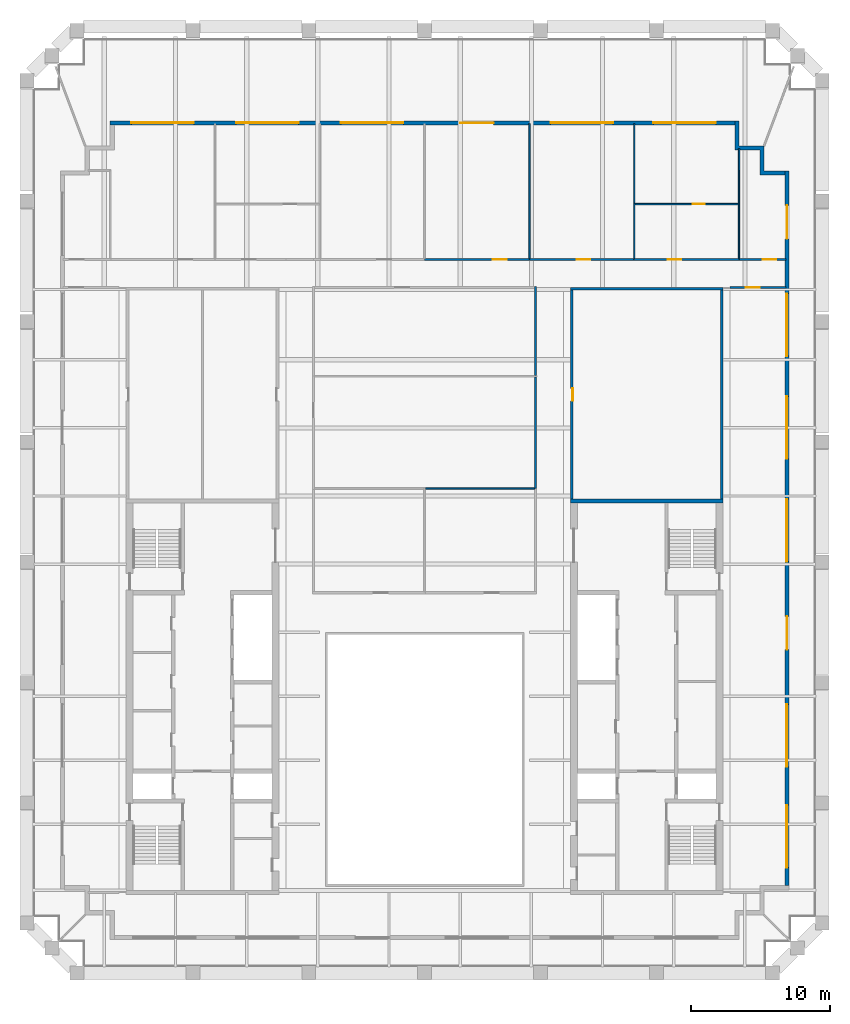
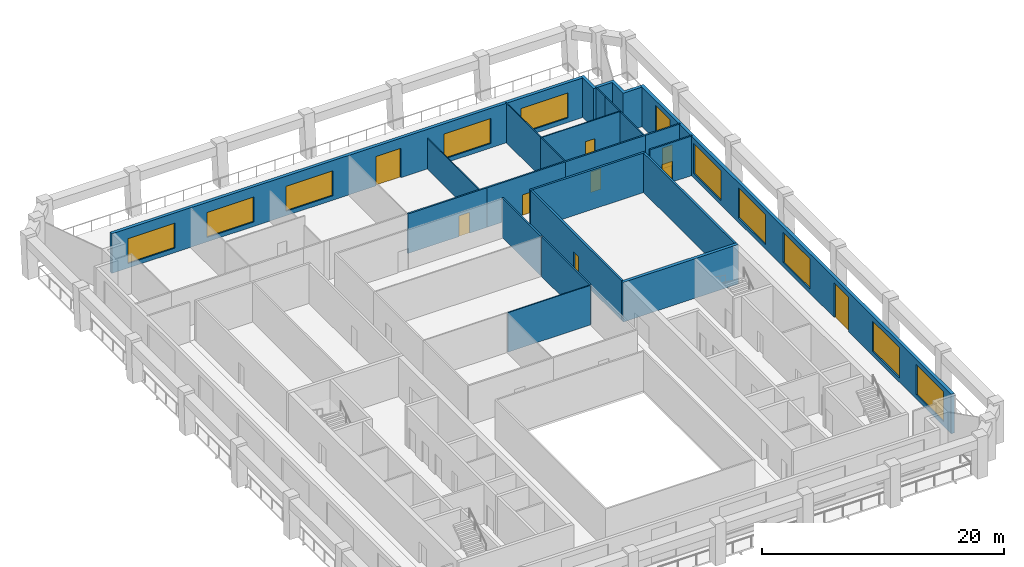
# One storey, part 6 of 9: 22 walls, 10 doors, 10 windows, 20 openings.
"""IFC4 building model written with IfcOpenShell, lengths in metres."""

from ifc_helpers import new_model, si_unit, direction, frame, frame_2d, origin, place, context, subcontext, project, spatial, polyline, rectangle, outline, extrude, material, layer, layer_set, type_object, element, fill, save


model = new_model("IFC4")

# Units and contexts
model_context = context("Model", 3, precision=1e-05, world=origin(), true_north=direction((0.0, 1.0)))
body_context = subcontext(model_context, "Body", "Model", "MODEL_VIEW")
ifc_project = project(units=[si_unit("LENGTHUNIT", "METRE"), si_unit("AREAUNIT", "SQUARE_METRE"), si_unit("VOLUMEUNIT", "CUBIC_METRE"), si_unit("PLANEANGLEUNIT", "RADIAN"), si_unit("MASSUNIT", "GRAM", prefix="KILO")], contexts=[model_context])

# Site, building, storey
site_placement = place(None, origin())
site = spatial("IfcSite", under=ifc_project, at=site_placement, CompositionType="ELEMENT")
building_placement = place(site_placement, origin())
building = spatial("IfcBuilding", under=site, at=building_placement, Name="Ogive Exchange Tower", CompositionType="ELEMENT")
storey_placement = place(building_placement, frame((0.0, 0.0, 346.800048828125)))
storey = spatial("IfcBuildingStorey", under=building, at=storey_placement, Name="L76", CompositionType="ELEMENT", Elevation=346.800048828125)

# Wall, opening, door
ifc_material_1 = material(Name="Fire partition EI 60 150")
ifc_layer_1 = layer(ifc_material_1, 0.14990234375)
ifc_layer_set_1 = layer_set([ifc_layer_1], Name="Fire partition EI 60 150")
wall_type_1 = type_object("IfcWallType", Name="Fire partition EI 60 150", PredefinedType="PARTITIONING", material=ifc_layer_set_1)
wall_1_placement = place(storey_placement, frame((0.0, 43.0, 0.0), z_axis=(0.0, 0.0, 1.0), x_axis=(1.0, 0.0, 0.0)))
wall_1 = element("IfcWall", 1, at=wall_1_placement, inside=storey, type_object=wall_type_1, Name="L76-PWL-025", PredefinedType="PARTITIONING", context=body_context, shape_type="SweptSolid", body=[
    extrude(rectangle(XDim=7.60009765625, YDim=0.14990234375, at=frame_2d((3.800048828125, 0.0))), origin(), (0.0, 0.0, 1.0), 4.0),
])
opening_1_placement = place(wall_1_placement, frame((4.89990234375, 0.0, 0.0)))
opening_1 = element("IfcOpeningElement", 2, at=opening_1_placement, cuts=wall_1, Name="Opening L76-I05", PredefinedType="OPENING", context=body_context, shape_type="SweptSolid", body=[
    extrude(rectangle(XDim=1.0, YDim=2.10009765625, at=frame_2d((0.5, 1.050048828125))), frame((0.0, 0.0849609375, 0.0), z_axis=(0.0, -1.0, 0.0), x_axis=(1.0, 0.0, 0.0)), (0.0, 0.0, 1.0), 0.169921875),
])
ifc_material_2 = material(Name="Fire door FD 30S 1000 x 2100")
door_type_1 = type_object("IfcDoorType", Name="Fire door FD 30S 1000 x 2100", OperationType="NOTDEFINED", PredefinedType="DOOR", material=ifc_material_2)
door_1_placement = place(opening_1_placement, origin())
door_1 = element("IfcDoor", 3, at=door_1_placement, inside=storey, type_object=door_type_1, Name="L76-IDR-005", ObjectType="DT3", OperationType="SINGLE_SWING_LEFT", OverallHeight=2.10009765625, OverallWidth=1.0, PredefinedType="DOOR", context=body_context, shape_type="SweptSolid", body=[
    extrude(rectangle(XDim=1.0, YDim=2.10009765625, at=frame_2d((0.5, 1.050048828125))), frame((0.0, 0.02490234375, 0.0), z_axis=(0.0, -1.0, 0.0), x_axis=(1.0, 0.0, 0.0)), (0.0, 0.0, 1.0), 0.050048828125),
])
fill(opening_1, door_1)

wall_2_placement = place(storey_placement, frame((7.550048828125, 43.0, 0.0), z_axis=(0.0, 0.0, 1.0), x_axis=(1.0, 0.0, 0.0)))
wall_2 = element("IfcWall", 4, at=wall_2_placement, inside=storey, type_object=wall_type_1, Name="L76-PWL-027", PredefinedType="PARTITIONING", context=body_context, shape_type="SweptSolid", body=[
    extrude(rectangle(XDim=7.5, YDim=0.14990234375, at=frame_2d((3.75, 0.0))), origin(), (0.0, 0.0, 1.0), 4.0),
])
opening_2_placement = place(wall_2_placement, frame((3.39990234375, 0.0, 0.0)))
opening_2 = element("IfcOpeningElement", 5, at=opening_2_placement, cuts=wall_2, Name="Opening L76-I02", PredefinedType="OPENING", context=body_context, shape_type="SweptSolid", body=[
    extrude(rectangle(XDim=1.0, YDim=2.10009765625, at=frame_2d((0.5, 1.050048828125))), frame((0.0, 0.0849609375, 0.0), z_axis=(0.0, -1.0, 0.0), x_axis=(1.0, 0.0, 0.0)), (0.0, 0.0, 1.0), 0.169921875),
])
door_2_placement = place(opening_2_placement, origin())
door_2 = element("IfcDoor", 6, at=door_2_placement, inside=storey, type_object=door_type_1, Name="L76-IDR-002", ObjectType="DT3", OperationType="SINGLE_SWING_LEFT", OverallHeight=2.10009765625, OverallWidth=1.0, PredefinedType="DOOR", context=body_context, shape_type="SweptSolid", body=[
    extrude(rectangle(XDim=1.0, YDim=2.10009765625, at=frame_2d((0.5, 1.050048828125))), frame((0.0, 0.02490234375, 0.0), z_axis=(0.0, -1.0, 0.0), x_axis=(1.0, 0.0, 0.0)), (0.0, 0.0, 1.0), 0.050048828125),
])
fill(opening_2, door_2)

# Walls
wall_3_placement = place(storey_placement, frame((8.0, 26.5, 0.0), z_axis=(0.0, 0.0, 1.0), x_axis=(0.0, 1.0, 0.0)))
element("IfcWall", 7, at=wall_3_placement, inside=storey, type_object=wall_type_1, Name="L76-PWL-030", PredefinedType="PARTITIONING", context=body_context, shape_type="SweptSolid", body=[
    extrude(rectangle(XDim=8.050048828125, YDim=0.14990234375, at=frame_2d((4.02490234375, 0.0))), origin(), (0.0, 0.0, 1.0), 4.0),
])
wall_4_placement = place(storey_placement, frame((8.0, 34.64990234375, 0.0), z_axis=(0.0, 0.0, 1.0), x_axis=(0.0, 1.0, 0.0)))
element("IfcWall", 8, at=wall_4_placement, inside=storey, type_object=wall_type_1, Name="L76-PWL-031", PredefinedType="PARTITIONING", context=body_context, shape_type="SweptSolid", body=[
    extrude(rectangle(XDim=6.425048828125, YDim=0.14990234375, at=frame_2d((3.21240234375, 0.0))), origin(), (0.0, 0.0, 1.0), 4.0),
])

# Wall, opening, door
wall_5_placement = place(storey_placement, frame((15.050048828125, 43.0, 0.0), z_axis=(0.0, 0.0, 1.0), x_axis=(1.0, 0.0, 0.0)))
wall_5 = element("IfcWall", 9, at=wall_5_placement, inside=storey, type_object=wall_type_1, Name="L76-PWL-033", PredefinedType="PARTITIONING", context=body_context, shape_type="SweptSolid", body=[
    extrude(rectangle(XDim=7.64990234375, YDim=0.14990234375, at=frame_2d((3.824951171875, 0.0))), origin(), (0.0, 0.0, 1.0), 4.0),
])
opening_3_placement = place(wall_5_placement, frame((2.449951171875, 0.0, 0.0)))
opening_3 = element("IfcOpeningElement", 10, at=opening_3_placement, cuts=wall_5, Name="Opening L76-I03", PredefinedType="OPENING", context=body_context, shape_type="SweptSolid", body=[
    extrude(rectangle(XDim=1.0, YDim=2.10009765625, at=frame_2d((0.5, 1.050048828125))), frame((0.0, 0.0849609375, 0.0), z_axis=(0.0, -1.0, 0.0), x_axis=(1.0, 0.0, 0.0)), (0.0, 0.0, 1.0), 0.169921875),
])
door_3_placement = place(opening_3_placement, origin())
door_3 = element("IfcDoor", 11, at=door_3_placement, inside=storey, type_object=door_type_1, Name="L76-IDR-003", ObjectType="DT3", OperationType="SINGLE_SWING_RIGHT", OverallHeight=2.10009765625, OverallWidth=1.0, PredefinedType="DOOR", context=body_context, shape_type="SweptSolid", body=[
    extrude(rectangle(XDim=1.0, YDim=2.10009765625, at=frame_2d((0.5, 1.050048828125))), frame((0.0, 0.02490234375, 0.0), z_axis=(0.0, -1.0, 0.0), x_axis=(1.0, 0.0, 0.0)), (0.0, 0.0, 1.0), 0.050048828125),
])
fill(opening_3, door_3)

wall_6_placement = place(storey_placement, frame((22.699951171875, 43.0, 0.0), z_axis=(0.0, 0.0, 1.0), x_axis=(1.0, 0.0, 0.0)))
wall_6 = element("IfcWall", 12, at=wall_6_placement, inside=storey, type_object=wall_type_1, Name="L76-PWL-039", PredefinedType="PARTITIONING", context=body_context, shape_type="SweptSolid", body=[
    extrude(rectangle(XDim=3.35009765625, YDim=0.14990234375, at=frame_2d((1.675048828125, 0.0))), origin(), (0.0, 0.0, 1.0), 4.0),
])
opening_4_placement = place(wall_6_placement, frame((1.64990234375, 0.0, 0.0)))
opening_4 = element("IfcOpeningElement", 13, at=opening_4_placement, cuts=wall_6, Name="Opening L76-I01", PredefinedType="OPENING", context=body_context, shape_type="SweptSolid", body=[
    extrude(rectangle(XDim=1.0, YDim=2.10009765625, at=frame_2d((0.5, 1.050048828125))), frame((0.0, 0.0849609375, 0.0), z_axis=(0.0, -1.0, 0.0), x_axis=(1.0, 0.0, 0.0)), (0.0, 0.0, 1.0), 0.169921875),
])
door_4_placement = place(opening_4_placement, origin())
door_4 = element("IfcDoor", 14, at=door_4_placement, inside=storey, type_object=door_type_1, Name="L76-IDR-001", ObjectType="DT3", OperationType="SINGLE_SWING_LEFT", OverallHeight=2.10009765625, OverallWidth=1.0, PredefinedType="DOOR", context=body_context, shape_type="SweptSolid", body=[
    extrude(rectangle(XDim=1.0, YDim=2.10009765625, at=frame_2d((0.5, 1.050048828125))), frame((0.0, 0.02490234375, 0.0), z_axis=(0.0, -1.0, 0.0), x_axis=(1.0, 0.0, 0.0)), (0.0, 0.0, 1.0), 0.050048828125),
])
fill(opening_4, door_4)

wall_7_placement = place(storey_placement, frame((26.050048828125, 41.0, 0.0), z_axis=(0.0, 0.0, 1.0), x_axis=(-1.0, 0.0, 0.0)))
wall_7 = element("IfcWall", 15, at=wall_7_placement, inside=storey, type_object=wall_type_1, Name="L76-PWL-042", PredefinedType="PARTITIONING", context=body_context, shape_type="SweptSolid", body=[
    extrude(rectangle(XDim=4.050048828125, YDim=0.14990234375, at=frame_2d((2.02490234375, 0.0))), origin(), (0.0, 0.0, 1.0), 4.0),
])
opening_5_placement = place(wall_7_placement, frame((1.89990234375, 0.0, 0.0)))
opening_5 = element("IfcOpeningElement", 16, at=opening_5_placement, cuts=wall_7, Name="Opening L76-I16", PredefinedType="OPENING", context=body_context, shape_type="SweptSolid", body=[
    extrude(rectangle(XDim=1.0, YDim=2.10009765625, at=frame_2d((0.5, 1.050048828125))), frame((0.0, 0.0849609375, 0.0), z_axis=(0.0, -1.0, 0.0), x_axis=(1.0, 0.0, 0.0)), (0.0, 0.0, 1.0), 0.169921875),
])
door_5_placement = place(opening_5_placement, origin())
door_5 = element("IfcDoor", 17, at=door_5_placement, inside=storey, type_object=door_type_1, Name="L76-IDR-016", ObjectType="DT3", OperationType="SINGLE_SWING_LEFT", OverallHeight=2.10009765625, OverallWidth=1.0, PredefinedType="DOOR", context=body_context, shape_type="SweptSolid", body=[
    extrude(rectangle(XDim=1.0, YDim=2.10009765625, at=frame_2d((0.5, 1.050048828125))), frame((0.0, 0.02490234375, 0.0), z_axis=(0.0, -1.0, 0.0), x_axis=(1.0, 0.0, 0.0)), (0.0, 0.0, 1.0), 0.050048828125),
])
fill(opening_5, door_5)

# Wall, openings, doors, windows
ifc_material_3 = material(Name="Precast concrete C40/50", Category="concrete")
ifc_layer_2 = layer(ifc_material_3, 0.300048828125)
ifc_layer_set_2 = layer_set([ifc_layer_2], Name="Limestone-faced wall 300")
wall_type_2 = type_object("IfcWallType", Name="Limestone-faced wall 300", PredefinedType="STANDARD", material=ifc_layer_set_2)
wall_8_placement = place(storey_placement, frame((26.10009765625, -2.10009765625, 0.0), z_axis=(0.0, 0.0, 1.0), x_axis=(0.0, 1.0, 0.0)))
wall_8 = element("IfcWall", 18, at=wall_8_placement, inside=storey, type_object=wall_type_2, Name="External wall E2", PredefinedType="STANDARD", context=body_context, shape_type="SweptSolid", body=[
    extrude(rectangle(XDim=51.5, YDim=0.300048828125, at=frame_2d((25.75, 0.0))), origin(), (0.0, 0.0, 1.0), 4.0),
])
opening_6_placement = place(wall_8_placement, frame((1.300048828125, 0.0, 0.449951171875)))
opening_6 = element("IfcOpeningElement", 19, at=opening_6_placement, cuts=wall_8, Name="Opening W1", PredefinedType="OPENING", context=body_context, shape_type="SweptSolid", body=[
    extrude(rectangle(XDim=4.5, YDim=3.050048828125, at=frame_2d((2.25, 1.52490234375))), frame((0.0, 0.159912109375, 0.0), z_axis=(0.0, -1.0, 0.0), x_axis=(1.0, 0.0, 0.0)), (0.0, 0.0, 1.0), 0.320068359375),
])
opening_7_placement = place(wall_8_placement, frame((8.550048828125, 0.0, 0.449951171875)))
opening_7 = element("IfcOpeningElement", 20, at=opening_7_placement, cuts=wall_8, Name="Opening W1", PredefinedType="OPENING", context=body_context, shape_type="SweptSolid", body=[
    extrude(rectangle(XDim=4.5, YDim=3.050048828125, at=frame_2d((2.25, 1.52490234375))), frame((0.0, 0.159912109375, 0.0), z_axis=(0.0, -1.0, 0.0), x_axis=(1.0, 0.0, 0.0)), (0.0, 0.0, 1.0), 0.320068359375),
])
opening_8_placement = place(wall_8_placement, frame((17.0, 0.0, 0.0)))
opening_8 = element("IfcOpeningElement", 21, at=opening_8_placement, cuts=wall_8, Name="Opening D1", PredefinedType="OPENING", context=body_context, shape_type="SweptSolid", body=[
    extrude(rectangle(XDim=2.39990234375, YDim=3.5, at=frame_2d((1.199951171875, 1.75))), frame((0.0, 0.159912109375, 0.0), z_axis=(0.0, -1.0, 0.0), x_axis=(1.0, 0.0, 0.0)), (0.0, 0.0, 1.0), 0.320068359375),
])
opening_9_placement = place(wall_8_placement, frame((23.35009765625, 0.0, 0.449951171875)))
opening_9 = element("IfcOpeningElement", 22, at=opening_9_placement, cuts=wall_8, Name="Opening W1", PredefinedType="OPENING", context=body_context, shape_type="SweptSolid", body=[
    extrude(rectangle(XDim=4.5, YDim=3.050048828125, at=frame_2d((2.25, 1.52490234375))), frame((0.0, 0.159912109375, 0.0), z_axis=(0.0, -1.0, 0.0), x_axis=(1.0, 0.0, 0.0)), (0.0, 0.0, 1.0), 0.320068359375),
])
opening_10_placement = place(wall_8_placement, frame((30.75, 0.0, 0.449951171875)))
opening_10 = element("IfcOpeningElement", 23, at=opening_10_placement, cuts=wall_8, Name="Opening W1", PredefinedType="OPENING", context=body_context, shape_type="SweptSolid", body=[
    extrude(rectangle(XDim=4.5, YDim=3.050048828125, at=frame_2d((2.25, 1.52490234375))), frame((0.0, 0.159912109375, 0.0), z_axis=(0.0, -1.0, 0.0), x_axis=(1.0, 0.0, 0.0)), (0.0, 0.0, 1.0), 0.320068359375),
])
opening_11_placement = place(wall_8_placement, frame((38.14990234375, 0.0, 0.449951171875)))
opening_11 = element("IfcOpeningElement", 24, at=opening_11_placement, cuts=wall_8, Name="Opening W1", PredefinedType="OPENING", context=body_context, shape_type="SweptSolid", body=[
    extrude(rectangle(XDim=4.5, YDim=3.050048828125, at=frame_2d((2.25, 1.52490234375))), frame((0.0, 0.159912109375, 0.0), z_axis=(0.0, -1.0, 0.0), x_axis=(1.0, 0.0, 0.0)), (0.0, 0.0, 1.0), 0.320068359375),
])
opening_12_placement = place(wall_8_placement, frame((46.60009765625, 0.0, 0.0)))
opening_12 = element("IfcOpeningElement", 25, at=opening_12_placement, cuts=wall_8, Name="Opening D1", PredefinedType="OPENING", context=body_context, shape_type="SweptSolid", body=[
    extrude(rectangle(XDim=2.39990234375, YDim=3.5, at=frame_2d((1.199951171875, 1.75))), frame((0.0, 0.159912109375, 0.0), z_axis=(0.0, -1.0, 0.0), x_axis=(1.0, 0.0, 0.0)), (0.0, 0.0, 1.0), 0.320068359375),
])
ifc_material_4 = material(Name="Clear glass in bronze frame", Category="glass")
door_type_2 = type_object("IfcDoorType", Name="Sliding loggia door 2400 x 3500", OperationType="DOUBLE_DOOR_SLIDING", PredefinedType="DOOR", material=ifc_material_4)
door_6_placement = place(opening_8_placement, origin())
door_6 = element("IfcDoor", 26, at=door_6_placement, inside=storey, type_object=door_type_2, Name="Loggia door E02", OperationType="DOUBLE_DOOR_SLIDING", OverallHeight=3.5, OverallWidth=2.39990234375, PredefinedType="DOOR", context=body_context, shape_type="SweptSolid", body=[
    extrude(rectangle(XDim=2.39990234375, YDim=3.5, at=frame_2d((1.199951171875, 1.75))), frame((0.0, 0.02490234375, 0.0), z_axis=(0.0, -1.0, 0.0), x_axis=(1.0, 0.0, 0.0)), (0.0, 0.0, 1.0), 0.050048828125),
])
fill(opening_8, door_6)
door_7_placement = place(opening_12_placement, origin())
door_7 = element("IfcDoor", 27, at=door_7_placement, inside=storey, type_object=door_type_2, Name="Loggia door E06", OperationType="DOUBLE_DOOR_SLIDING", OverallHeight=3.5, OverallWidth=2.39990234375, PredefinedType="DOOR", context=body_context, shape_type="SweptSolid", body=[
    extrude(rectangle(XDim=2.39990234375, YDim=3.5, at=frame_2d((1.199951171875, 1.75))), frame((0.0, 0.02490234375, 0.0), z_axis=(0.0, -1.0, 0.0), x_axis=(1.0, 0.0, 0.0)), (0.0, 0.0, 1.0), 0.050048828125),
])
fill(opening_12, door_7)
window_type_1 = type_object("IfcWindowType", Name="Twin lancet window 4500 x 3050", PartitioningType="DOUBLE_PANEL_VERTICAL", PredefinedType="WINDOW", material=ifc_material_4)
window_1_placement = place(opening_6_placement, origin())
window_1 = element("IfcWindow", 28, at=window_1_placement, inside=storey, type_object=window_type_1, Name="Window E00", OverallHeight=3.050048828125, OverallWidth=4.5, PartitioningType="DOUBLE_PANEL_VERTICAL", PredefinedType="WINDOW", context=body_context, shape_type="SweptSolid", body=[
    extrude(rectangle(XDim=4.5, YDim=3.050048828125, at=frame_2d((2.25, 1.52490234375))), frame((0.0, 0.030029296875, 0.0), z_axis=(0.0, -1.0, 0.0), x_axis=(1.0, 0.0, 0.0)), (0.0, 0.0, 1.0), 0.06005859375),
])
fill(opening_6, window_1)
window_2_placement = place(opening_7_placement, origin())
window_2 = element("IfcWindow", 29, at=window_2_placement, inside=storey, type_object=window_type_1, Name="Window E01", OverallHeight=3.050048828125, OverallWidth=4.5, PartitioningType="DOUBLE_PANEL_VERTICAL", PredefinedType="WINDOW", context=body_context, shape_type="SweptSolid", body=[
    extrude(rectangle(XDim=4.5, YDim=3.050048828125, at=frame_2d((2.25, 1.52490234375))), frame((0.0, 0.030029296875, 0.0), z_axis=(0.0, -1.0, 0.0), x_axis=(1.0, 0.0, 0.0)), (0.0, 0.0, 1.0), 0.06005859375),
])
fill(opening_7, window_2)
window_3_placement = place(opening_9_placement, origin())
window_3 = element("IfcWindow", 30, at=window_3_placement, inside=storey, type_object=window_type_1, Name="Window E03", OverallHeight=3.050048828125, OverallWidth=4.5, PartitioningType="DOUBLE_PANEL_VERTICAL", PredefinedType="WINDOW", context=body_context, shape_type="SweptSolid", body=[
    extrude(rectangle(XDim=4.5, YDim=3.050048828125, at=frame_2d((2.25, 1.52490234375))), frame((0.0, 0.030029296875, 0.0), z_axis=(0.0, -1.0, 0.0), x_axis=(1.0, 0.0, 0.0)), (0.0, 0.0, 1.0), 0.06005859375),
])
fill(opening_9, window_3)
window_4_placement = place(opening_10_placement, origin())
window_4 = element("IfcWindow", 31, at=window_4_placement, inside=storey, type_object=window_type_1, Name="Window E04", OverallHeight=3.050048828125, OverallWidth=4.5, PartitioningType="DOUBLE_PANEL_VERTICAL", PredefinedType="WINDOW", context=body_context, shape_type="SweptSolid", body=[
    extrude(rectangle(XDim=4.5, YDim=3.050048828125, at=frame_2d((2.25, 1.52490234375))), frame((0.0, 0.030029296875, 0.0), z_axis=(0.0, -1.0, 0.0), x_axis=(1.0, 0.0, 0.0)), (0.0, 0.0, 1.0), 0.06005859375),
])
fill(opening_10, window_4)
window_5_placement = place(opening_11_placement, origin())
window_5 = element("IfcWindow", 32, at=window_5_placement, inside=storey, type_object=window_type_1, Name="Window E05", OverallHeight=3.050048828125, OverallWidth=4.5, PartitioningType="DOUBLE_PANEL_VERTICAL", PredefinedType="WINDOW", context=body_context, shape_type="SweptSolid", body=[
    extrude(rectangle(XDim=4.5, YDim=3.050048828125, at=frame_2d((2.25, 1.52490234375))), frame((0.0, 0.030029296875, 0.0), z_axis=(0.0, -1.0, 0.0), x_axis=(1.0, 0.0, 0.0)), (0.0, 0.0, 1.0), 0.06005859375),
])
fill(opening_11, window_5)

# Wall, openings, door, windows
wall_9_placement = place(storey_placement, frame((22.35009765625, 52.85009765625, 0.0), z_axis=(0.0, 0.0, 1.0), x_axis=(-1.0, 0.0, 0.0)))
wall_9 = element("IfcWall", 33, at=wall_9_placement, inside=storey, type_object=wall_type_2, Name="External wall N3", PredefinedType="STANDARD", context=body_context, shape_type="SweptSolid", body=[
    extrude(rectangle(XDim=45.0, YDim=0.300048828125, at=frame_2d((22.5, 0.0))), origin(), (0.0, 0.0, 1.0), 4.0),
])
opening_13_placement = place(wall_9_placement, frame((1.375, 0.0, 0.449951171875)))
opening_13 = element("IfcOpeningElement", 34, at=opening_13_placement, cuts=wall_9, Name="Opening W1N", PredefinedType="OPENING", context=body_context, shape_type="SweptSolid", body=[
    extrude(rectangle(XDim=4.5, YDim=2.52490234375, at=frame_2d((2.25, 1.262451171875))), frame((0.0, 0.159912109375, 0.0), z_axis=(0.0, -1.0, 0.0), x_axis=(1.0, 0.0, 0.0)), (0.0, 0.0, 1.0), 0.320068359375),
])
opening_14_placement = place(wall_9_placement, frame((8.77490234375, 0.0, 0.449951171875)))
opening_14 = element("IfcOpeningElement", 35, at=opening_14_placement, cuts=wall_9, Name="Opening W1N", PredefinedType="OPENING", context=body_context, shape_type="SweptSolid", body=[
    extrude(rectangle(XDim=4.5, YDim=2.52490234375, at=frame_2d((2.25, 1.262451171875))), frame((0.0, 0.159912109375, 0.0), z_axis=(0.0, -1.0, 0.0), x_axis=(1.0, 0.0, 0.0)), (0.0, 0.0, 1.0), 0.320068359375),
])
opening_15_placement = place(wall_9_placement, frame((17.375, 0.0, 0.0)))
opening_15 = element("IfcOpeningElement", 36, at=opening_15_placement, cuts=wall_9, Name="Opening D1N", PredefinedType="OPENING", context=body_context, shape_type="SweptSolid", body=[
    extrude(rectangle(XDim=2.39990234375, YDim=2.97509765625, at=frame_2d((1.199951171875, 1.487548828125))), frame((0.0, 0.159912109375, 0.0), z_axis=(0.0, -1.0, 0.0), x_axis=(1.0, 0.0, 0.0)), (0.0, 0.0, 1.0), 0.320068359375),
])
opening_16_placement = place(wall_9_placement, frame((23.875, 0.0, 0.449951171875)))
opening_16 = element("IfcOpeningElement", 37, at=opening_16_placement, cuts=wall_9, Name="Opening W1N", PredefinedType="OPENING", context=body_context, shape_type="SweptSolid", body=[
    extrude(rectangle(XDim=4.5, YDim=2.52490234375, at=frame_2d((2.25, 1.262451171875))), frame((0.0, 0.159912109375, 0.0), z_axis=(0.0, -1.0, 0.0), x_axis=(1.0, 0.0, 0.0)), (0.0, 0.0, 1.0), 0.320068359375),
])
opening_17_placement = place(wall_9_placement, frame((31.425048828125, 0.0, 0.449951171875)))
opening_17 = element("IfcOpeningElement", 38, at=opening_17_placement, cuts=wall_9, Name="Opening W1N", PredefinedType="OPENING", context=body_context, shape_type="SweptSolid", body=[
    extrude(rectangle(XDim=4.5, YDim=2.52490234375, at=frame_2d((2.25, 1.262451171875))), frame((0.0, 0.159912109375, 0.0), z_axis=(0.0, -1.0, 0.0), x_axis=(1.0, 0.0, 0.0)), (0.0, 0.0, 1.0), 0.320068359375),
])
opening_18_placement = place(wall_9_placement, frame((38.97509765625, 0.0, 0.449951171875)))
opening_18 = element("IfcOpeningElement", 39, at=opening_18_placement, cuts=wall_9, Name="Opening W1N", PredefinedType="OPENING", context=body_context, shape_type="SweptSolid", body=[
    extrude(rectangle(XDim=4.5, YDim=2.52490234375, at=frame_2d((2.25, 1.262451171875))), frame((0.0, 0.159912109375, 0.0), z_axis=(0.0, -1.0, 0.0), x_axis=(1.0, 0.0, 0.0)), (0.0, 0.0, 1.0), 0.320068359375),
])
door_type_3 = type_object("IfcDoorType", Name="Sliding loggia door 2400 x 2975", OperationType="DOUBLE_DOOR_SLIDING", PredefinedType="DOOR", material=ifc_material_4)
door_8_placement = place(opening_15_placement, origin())
door_8 = element("IfcDoor", 40, at=door_8_placement, inside=storey, type_object=door_type_3, Name="Loggia door N02", OperationType="DOUBLE_DOOR_SLIDING", OverallHeight=2.97509765625, OverallWidth=2.39990234375, PredefinedType="DOOR", context=body_context, shape_type="SweptSolid", body=[
    extrude(rectangle(XDim=2.39990234375, YDim=2.97509765625, at=frame_2d((1.199951171875, 1.487548828125))), frame((0.0, 0.02490234375, 0.0), z_axis=(0.0, -1.0, 0.0), x_axis=(1.0, 0.0, 0.0)), (0.0, 0.0, 1.0), 0.050048828125),
])
fill(opening_15, door_8)
window_type_2 = type_object("IfcWindowType", Name="Twin lancet window 4500 x 2525", PartitioningType="DOUBLE_PANEL_VERTICAL", PredefinedType="WINDOW", material=ifc_material_4)
window_6_placement = place(opening_13_placement, origin())
window_6 = element("IfcWindow", 41, at=window_6_placement, inside=storey, type_object=window_type_2, Name="Window N00", OverallHeight=2.52490234375, OverallWidth=4.5, PartitioningType="DOUBLE_PANEL_VERTICAL", PredefinedType="WINDOW", context=body_context, shape_type="SweptSolid", body=[
    extrude(rectangle(XDim=4.5, YDim=2.52490234375, at=frame_2d((2.25, 1.262451171875))), frame((0.0, 0.030029296875, 0.0), z_axis=(0.0, -1.0, 0.0), x_axis=(1.0, 0.0, 0.0)), (0.0, 0.0, 1.0), 0.06005859375),
])
fill(opening_13, window_6)
window_7_placement = place(opening_14_placement, origin())
window_7 = element("IfcWindow", 42, at=window_7_placement, inside=storey, type_object=window_type_2, Name="Window N01", OverallHeight=2.52490234375, OverallWidth=4.5, PartitioningType="DOUBLE_PANEL_VERTICAL", PredefinedType="WINDOW", context=body_context, shape_type="SweptSolid", body=[
    extrude(rectangle(XDim=4.5, YDim=2.52490234375, at=frame_2d((2.25, 1.262451171875))), frame((0.0, 0.030029296875, 0.0), z_axis=(0.0, -1.0, 0.0), x_axis=(1.0, 0.0, 0.0)), (0.0, 0.0, 1.0), 0.06005859375),
])
fill(opening_14, window_7)
window_8_placement = place(opening_16_placement, origin())
window_8 = element("IfcWindow", 43, at=window_8_placement, inside=storey, type_object=window_type_2, Name="Window N03", OverallHeight=2.52490234375, OverallWidth=4.5, PartitioningType="DOUBLE_PANEL_VERTICAL", PredefinedType="WINDOW", context=body_context, shape_type="SweptSolid", body=[
    extrude(rectangle(XDim=4.5, YDim=2.52490234375, at=frame_2d((2.25, 1.262451171875))), frame((0.0, 0.030029296875, 0.0), z_axis=(0.0, -1.0, 0.0), x_axis=(1.0, 0.0, 0.0)), (0.0, 0.0, 1.0), 0.06005859375),
])
fill(opening_16, window_8)
window_9_placement = place(opening_17_placement, origin())
window_9 = element("IfcWindow", 44, at=window_9_placement, inside=storey, type_object=window_type_2, Name="Window N04", OverallHeight=2.52490234375, OverallWidth=4.5, PartitioningType="DOUBLE_PANEL_VERTICAL", PredefinedType="WINDOW", context=body_context, shape_type="SweptSolid", body=[
    extrude(rectangle(XDim=4.5, YDim=2.52490234375, at=frame_2d((2.25, 1.262451171875))), frame((0.0, 0.030029296875, 0.0), z_axis=(0.0, -1.0, 0.0), x_axis=(1.0, 0.0, 0.0)), (0.0, 0.0, 1.0), 0.06005859375),
])
fill(opening_17, window_9)
window_10_placement = place(opening_18_placement, origin())
window_10 = element("IfcWindow", 45, at=window_10_placement, inside=storey, type_object=window_type_2, Name="Window N05", OverallHeight=2.52490234375, OverallWidth=4.5, PartitioningType="DOUBLE_PANEL_VERTICAL", PredefinedType="WINDOW", context=body_context, shape_type="SweptSolid", body=[
    extrude(rectangle(XDim=4.5, YDim=2.52490234375, at=frame_2d((2.25, 1.262451171875))), frame((0.0, 0.030029296875, 0.0), z_axis=(0.0, -1.0, 0.0), x_axis=(1.0, 0.0, 0.0)), (0.0, 0.0, 1.0), 0.06005859375),
])
fill(opening_18, window_10)

# Walls
wall_10_placement = place(storey_placement, origin())
element("IfcWall", 46, at=wall_10_placement, inside=storey, type_object=wall_type_2, Name="External corner wall C2", PredefinedType="STANDARD", context=body_context, shape_type="SweptSolid", body=[
    extrude(outline(polyline([(24.14990234375, 50.89990234375), (22.35009765625, 50.89990234375), (22.35009765625, 53.0), (22.64990234375, 53.0), (22.64990234375, 51.199951171875), (24.449951171875, 51.199951171875), (24.449951171875, 49.39990234375), (25.949951171875, 49.39990234375), (25.949951171875, 49.10009765625), (24.14990234375, 49.10009765625), (24.14990234375, 50.89990234375)])), origin(), (0.0, 0.0, 1.0), 4.0),
])
ifc_material_5 = material(Name="Partition 100 gypsum")
ifc_layer_3 = layer(ifc_material_5, 0.10009765625)
ifc_layer_set_3 = layer_set([ifc_layer_3], Name="Partition 100 gypsum")
wall_type_3 = type_object("IfcWallType", Name="Partition 100 gypsum", PredefinedType="PARTITIONING", material=ifc_layer_set_3)
wall_11_placement = place(storey_placement, frame((7.550048828125, 43.074951171875, 0.0), z_axis=(0.0, 0.0, 1.0), x_axis=(0.0, 1.0, 0.0)))
element("IfcWall", 47, at=wall_11_placement, inside=storey, type_object=wall_type_3, Name="L76-PWL-026", PredefinedType="PARTITIONING", context=body_context, shape_type="SweptSolid", body=[
    extrude(rectangle(XDim=9.72509765625, YDim=0.10009765625, at=frame_2d((4.862548828125, 0.0))), origin(), (0.0, 0.0, 1.0), 3.095947265625),
])
wall_12_placement = place(storey_placement, frame((7.925048828125, 26.5, 0.0), z_axis=(0.0, 0.0, 1.0), x_axis=(-1.0, 0.0, 0.0)))
element("IfcWall", 48, at=wall_12_placement, inside=storey, type_object=wall_type_3, Name="L76-PWL-029", PredefinedType="PARTITIONING", context=body_context, shape_type="SweptSolid", body=[
    extrude(rectangle(XDim=7.875, YDim=0.10009765625, at=frame_2d((3.9375, 0.0))), origin(), (0.0, 0.0, 1.0), 4.0),
])
wall_13_placement = place(storey_placement, frame((15.10009765625, 47.050048828125, 0.0), z_axis=(0.0, 0.0, 1.0), x_axis=(0.0, -1.0, 0.0)))
element("IfcWall", 49, at=wall_13_placement, inside=storey, type_object=wall_type_3, Name="L76-PWL-034", PredefinedType="PARTITIONING", context=body_context, shape_type="SweptSolid", body=[
    extrude(rectangle(XDim=3.97509765625, YDim=0.10009765625, at=frame_2d((1.987548828125, 0.0))), origin(), (0.0, 0.0, 1.0), 4.0),
])

# Wall, opening, door
wall_14_placement = place(storey_placement, frame((15.14990234375, 47.0, 0.0), z_axis=(0.0, 0.0, 1.0), x_axis=(1.0, 0.0, 0.0)))
wall_14 = element("IfcWall", 50, at=wall_14_placement, inside=storey, type_object=wall_type_3, Name="L76-PWL-035", PredefinedType="PARTITIONING", context=body_context, shape_type="SweptSolid", body=[
    extrude(rectangle(XDim=7.550048828125, YDim=0.10009765625, at=frame_2d((3.77490234375, 0.0))), origin(), (0.0, 0.0, 1.0), 4.0),
])
opening_19_placement = place(wall_14_placement, frame((4.14990234375, 0.0, 0.0)))
opening_19 = element("IfcOpeningElement", 51, at=opening_19_placement, cuts=wall_14, Name="Opening L76-I04", PredefinedType="OPENING", context=body_context, shape_type="SweptSolid", body=[
    extrude(rectangle(XDim=0.89990234375, YDim=2.10009765625, at=frame_2d((0.449951171875, 1.050048828125))), frame((0.0, 0.06005859375, 0.0), z_axis=(0.0, -1.0, 0.0), x_axis=(1.0, 0.0, 0.0)), (0.0, 0.0, 1.0), 0.1201171875),
])
ifc_material_6 = material(Name="Door 900 x 2100")
door_type_4 = type_object("IfcDoorType", Name="Door 900 x 2100", OperationType="NOTDEFINED", PredefinedType="DOOR", material=ifc_material_6)
door_9_placement = place(opening_19_placement, frame((0.89990234375, 0.0, 0.0), z_axis=(0.0, 0.0, 1.0), x_axis=(-1.0, 0.0, 0.0)))
door_9 = element("IfcDoor", 52, at=door_9_placement, inside=storey, type_object=door_type_4, Name="L76-IDR-004", ObjectType="DT1", OperationType="SINGLE_SWING_RIGHT", OverallHeight=2.10009765625, OverallWidth=0.89990234375, PredefinedType="DOOR", context=body_context, shape_type="SweptSolid", body=[
    extrude(rectangle(XDim=0.89990234375, YDim=2.10009765625, at=frame_2d((0.449951171875, 1.050048828125))), frame((0.0, 0.02490234375, 0.0), z_axis=(0.0, -1.0, 0.0), x_axis=(1.0, 0.0, 0.0)), (0.0, 0.0, 1.0), 0.050048828125),
])
fill(opening_19, door_9)

# Walls
wall_15_placement = place(storey_placement, frame((15.10009765625, 52.800048828125, 0.0), z_axis=(0.0, 0.0, 1.0), x_axis=(0.0, -1.0, 0.0)))
element("IfcWall", 53, at=wall_15_placement, inside=storey, type_object=wall_type_3, Name="L76-PWL-036", PredefinedType="PARTITIONING", context=body_context, shape_type="SweptSolid", body=[
    extrude(rectangle(XDim=5.800048828125, YDim=0.10009765625, at=frame_2d((2.89990234375, 0.0))), origin(), (0.0, 0.0, 1.0), 4.0),
])
wall_16_placement = place(storey_placement, frame((22.64990234375, 43.074951171875, 0.0), z_axis=(0.0, 0.0, 1.0), x_axis=(0.0, 1.0, 0.0)))
element("IfcWall", 54, at=wall_16_placement, inside=storey, type_object=wall_type_3, Name="L76-PWL-038", PredefinedType="PARTITIONING", context=body_context, shape_type="SweptSolid", body=[
    extrude(rectangle(XDim=3.875, YDim=0.10009765625, at=frame_2d((1.9375, 0.0))), origin(), (0.0, 0.0, 1.0), 4.0),
])
wall_17_placement = place(storey_placement, frame((22.64990234375, 47.050048828125, 0.0), z_axis=(0.0, 0.0, 1.0), x_axis=(0.0, 1.0, 0.0)))
element("IfcWall", 55, at=wall_17_placement, inside=storey, type_object=wall_type_3, Name="L76-PWL-040", PredefinedType="PARTITIONING", context=body_context, shape_type="SweptSolid", body=[
    extrude(rectangle(XDim=2.35986328125, YDim=0.10009765625, at=frame_2d((1.179931640625, 0.0))), origin(), (0.0, 0.0, 1.0), 4.0),
])
wall_18_placement = place(storey_placement, frame((22.659912109375, 49.409912109375, 0.0), z_axis=(0.0, 0.0, 1.0), x_axis=(0.0, 1.0, 0.0)))
element("IfcWall", 56, at=wall_18_placement, inside=storey, type_object=wall_type_3, Name="L76-PWL-041", PredefinedType="PARTITIONING", context=body_context, shape_type="SweptSolid", body=[
    extrude(rectangle(XDim=1.590087890625, YDim=0.10009765625, at=frame_2d((0.794921875, 0.0))), origin(), (0.0, 0.0, 1.0), 4.0),
])
ifc_material_7 = material(Name="Concrete C70/85", Category="concrete")
ifc_layer_4 = layer(ifc_material_7, 0.199951171875)
ifc_layer_set_4 = layer_set([ifc_layer_4], Name="RC core wall 200 C70/85")
wall_type_4 = type_object("IfcWallType", Name="RC core wall 200 C70/85", PredefinedType="SHEAR", material=ifc_layer_set_4)
wall_19_placement = place(storey_placement, frame((21.39990234375, 25.75, 0.0), z_axis=(0.0, 0.0, 1.0), x_axis=(0.0, 1.0, 0.0)))
element("IfcWall", 57, at=wall_19_placement, inside=storey, type_object=wall_type_4, Name="E annex N outer wall", PredefinedType="SHEAR", context=body_context, shape_type="SweptSolid", body=[
    extrude(rectangle(XDim=15.050048828125, YDim=0.199951171875, at=frame_2d((7.52490234375, 0.0))), origin(), (0.0, 0.0, 1.0), 4.0),
])

# Wall, opening, door
wall_20_placement = place(storey_placement, frame((10.60009765625, 25.75, 0.0), z_axis=(0.0, 0.0, 1.0), x_axis=(0.0, 1.0, 0.0)))
wall_20 = element("IfcWall", 58, at=wall_20_placement, inside=storey, type_object=wall_type_4, Name="E annex N inner wall", PredefinedType="SHEAR", context=body_context, shape_type="SweptSolid", body=[
    extrude(rectangle(XDim=15.050048828125, YDim=0.199951171875, at=frame_2d((7.52490234375, 0.0))), origin(), (0.0, 0.0, 1.0), 4.0),
])
opening_20_placement = place(wall_20_placement, frame((7.074951171875, 0.0, 0.0)))
opening_20 = element("IfcOpeningElement", 59, at=opening_20_placement, cuts=wall_20, Name="Opening L76-C37", PredefinedType="OPENING", context=body_context, shape_type="SweptSolid", body=[
    extrude(rectangle(XDim=0.89990234375, YDim=2.10009765625, at=frame_2d((0.449951171875, 1.050048828125))), frame((0.0, 0.10986328125, 0.0), z_axis=(0.0, -1.0, 0.0), x_axis=(1.0, 0.0, 0.0)), (0.0, 0.0, 1.0), 0.219970703125),
])
ifc_material_8 = material(Name="Steel fire door", Category="steel")
door_type_5 = type_object("IfcDoorType", Name="Riser door FD60 900 x 2100", OperationType="NOTDEFINED", PredefinedType="DOOR", material=ifc_material_8)
door_10_placement = place(opening_20_placement, origin())
door_10 = element("IfcDoor", 60, at=door_10_placement, inside=storey, type_object=door_type_5, Name="Riser door", ObjectType="CD2", OperationType="SINGLE_SWING_LEFT", OverallHeight=2.10009765625, OverallWidth=0.89990234375, PredefinedType="DOOR", context=body_context, shape_type="SweptSolid", body=[
    extrude(rectangle(XDim=0.89990234375, YDim=2.10009765625, at=frame_2d((0.449951171875, 1.050048828125))), frame((0.0, -0.0498046875, 0.0), z_axis=(0.0, -1.0, 0.0), x_axis=(1.0, 0.0, 0.0)), (0.0, 0.0, 1.0), 0.050048828125),
])
fill(opening_20, door_10)

# Walls
wall_21_placement = place(storey_placement, frame((10.5, 40.89990234375, 0.0), z_axis=(0.0, 0.0, 1.0), x_axis=(1.0, 0.0, 0.0)))
element("IfcWall", 61, at=wall_21_placement, inside=storey, type_object=wall_type_4, Name="E annex N end wall", PredefinedType="SHEAR", context=body_context, shape_type="SweptSolid", body=[
    extrude(rectangle(XDim=11.0, YDim=0.199951171875, at=frame_2d((5.5, 0.0))), origin(), (0.0, 0.0, 1.0), 4.0),
])
ifc_layer_5 = layer(ifc_material_7, 0.300048828125)
ifc_layer_set_5 = layer_set([ifc_layer_5], Name="RC core wall 300 C70/85")
wall_type_5 = type_object("IfcWallType", Name="RC core wall 300 C70/85", PredefinedType="SHEAR", material=ifc_layer_set_5)
wall_22_placement = place(storey_placement, frame((10.5, 25.60009765625, 0.0), z_axis=(0.0, 0.0, 1.0), x_axis=(1.0, 0.0, 0.0)))
element("IfcWall", 62, at=wall_22_placement, inside=storey, type_object=wall_type_5, Name="E north end wall", PredefinedType="SHEAR", context=body_context, shape_type="SweptSolid", body=[
    extrude(rectangle(XDim=11.0, YDim=0.300048828125, at=frame_2d((5.5, 0.0))), origin(), (0.0, 0.0, 1.0), 4.0),
])

save(model, "model.ifc")
